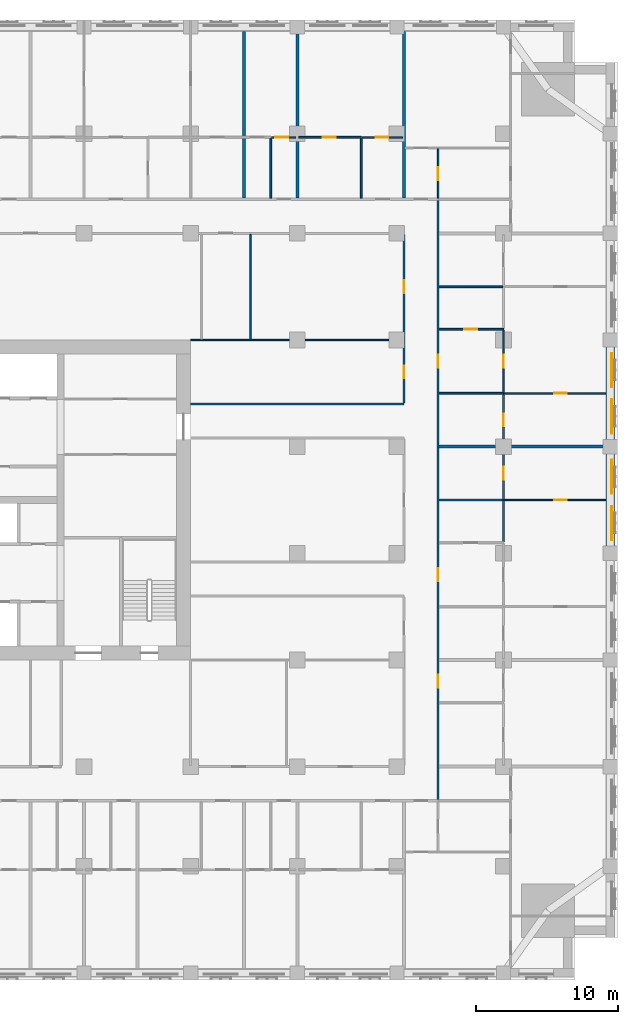
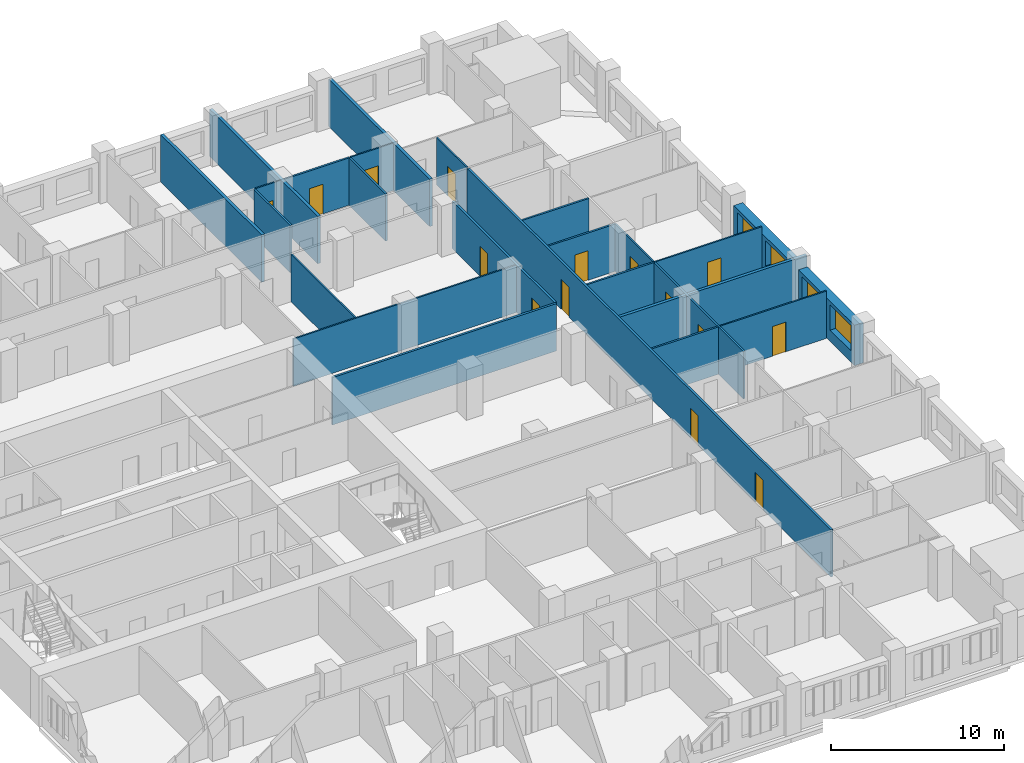
# One storey, part 10 of 14: 25 walls, 15 doors, 4 windows, 19 openings.
"""IFC4 building model written with IfcOpenShell, lengths in metres."""

from ifc_helpers import new_model, si_unit, direction, frame, frame_2d, origin, place, context, subcontext, project, spatial, rectangle, extrude, material, layer, layer_set, type_object, element, fill, save


model = new_model("IFC4")

# Units and contexts
model_context = context("Model", 3, precision=1e-05, world=origin(), true_north=direction((0.0, 1.0)))
body_context = subcontext(model_context, "Body", "Model", "MODEL_VIEW")
ifc_project = project(units=[si_unit("LENGTHUNIT", "METRE"), si_unit("AREAUNIT", "SQUARE_METRE"), si_unit("VOLUMEUNIT", "CUBIC_METRE"), si_unit("PLANEANGLEUNIT", "RADIAN"), si_unit("MASSUNIT", "GRAM", prefix="KILO")], contexts=[model_context])

# Site, building, storey
site_placement = place(None, origin())
site = spatial("IfcSite", under=ifc_project, at=site_placement, CompositionType="ELEMENT")
building_placement = place(site_placement, origin())
building = spatial("IfcBuilding", under=site, at=building_placement, Name="Tamorin Gate", CompositionType="ELEMENT")
storey_placement = place(building_placement, frame((0.0, 0.0, 104.300048828125)))
storey = spatial("IfcBuildingStorey", under=building, at=storey_placement, Name="L25", CompositionType="ELEMENT", Elevation=104.300048828125)

# Wall, openings, windows
ifc_material_1 = material(Name="Precast concrete C40/50", Category="concrete")
ifc_layer_1 = layer(ifc_material_1, 0.60009765625)
ifc_layer_set_1 = layer_set([ifc_layer_1], Name="Precast concrete C40/50")
wall_type_1 = type_object("IfcWallType", Name="Board-marked concrete facade panel 600", PredefinedType="SOLIDWALL", material=ifc_layer_set_1)
wall_1_placement = place(storey_placement, frame((89.5, 68.0, 0.0), z_axis=(0.0, 0.0, 1.0), x_axis=(0.0, 1.0, 0.0)))
wall_1 = element("IfcWall", 1, at=wall_1_placement, inside=storey, type_object=wall_type_1, Name="Facade panel", PredefinedType="SOLIDWALL", context=body_context, shape_type="SweptSolid", body=[
    extrude(rectangle(XDim=6.5, YDim=0.60009765625, at=frame_2d((3.25, 0.0))), origin(), (0.0, 0.0, 1.0), 2.849853515625),
])
opening_1_placement = place(wall_1_placement, frame((0.425048828125, 0.0, 0.800048828125)))
opening_1 = element("IfcOpeningElement", 2, at=opening_1_placement, cuts=wall_1, Name="Opening WN1", PredefinedType="OPENING", context=body_context, shape_type="SweptSolid", body=[
    extrude(rectangle(XDim=2.39990234375, YDim=1.800048828125, at=frame_2d((1.199951171875, 0.89990234375))), frame((0.0, 0.31005859375, 0.0), z_axis=(0.0, -1.0, 0.0), x_axis=(1.0, 0.0, 0.0)), (0.0, 0.0, 1.0), 0.6201171875),
])
opening_2_placement = place(wall_1_placement, frame((3.675048828125, 0.0, 0.800048828125)))
opening_2 = element("IfcOpeningElement", 3, at=opening_2_placement, cuts=wall_1, Name="Opening WN1", PredefinedType="OPENING", context=body_context, shape_type="SweptSolid", body=[
    extrude(rectangle(XDim=2.39990234375, YDim=1.800048828125, at=frame_2d((1.199951171875, 0.89990234375))), frame((0.0, 0.31005859375, 0.0), z_axis=(0.0, -1.0, 0.0), x_axis=(1.0, 0.0, 0.0)), (0.0, 0.0, 1.0), 0.6201171875),
])
ifc_material_2 = material(Name="Clear glass in aluminium frame", Category="aluminium")
window_type = type_object("IfcWindowType", Name="Deep-set window 2400x1800", PartitioningType="SINGLE_PANEL", PredefinedType="WINDOW", material=ifc_material_2)
window_1_placement = place(opening_1_placement, origin())
window_1 = element("IfcWindow", 4, at=window_1_placement, inside=storey, type_object=window_type, Name="Deep-set window", OverallHeight=1.800048828125, OverallWidth=2.39990234375, PartitioningType="SINGLE_PANEL", PredefinedType="WINDOW", context=body_context, shape_type="SweptSolid", body=[
    extrude(rectangle(XDim=2.39990234375, YDim=1.800048828125, at=frame_2d((1.199951171875, 0.89990234375))), frame((0.0, -0.070068359375, 0.0), z_axis=(0.0, -1.0, 0.0), x_axis=(1.0, 0.0, 0.0)), (0.0, 0.0, 1.0), 0.06005859375),
])
fill(opening_1, window_1)
window_2_placement = place(opening_2_placement, origin())
window_2 = element("IfcWindow", 5, at=window_2_placement, inside=storey, type_object=window_type, Name="Deep-set window", OverallHeight=1.800048828125, OverallWidth=2.39990234375, PartitioningType="SINGLE_PANEL", PredefinedType="WINDOW", context=body_context, shape_type="SweptSolid", body=[
    extrude(rectangle(XDim=2.39990234375, YDim=1.800048828125, at=frame_2d((1.199951171875, 0.89990234375))), frame((0.0, -0.070068359375, 0.0), z_axis=(0.0, -1.0, 0.0), x_axis=(1.0, 0.0, 0.0)), (0.0, 0.0, 1.0), 0.06005859375),
])
fill(opening_2, window_2)

wall_2_placement = place(storey_placement, frame((89.5, 75.5, 0.0), z_axis=(0.0, 0.0, 1.0), x_axis=(0.0, 1.0, 0.0)))
wall_2 = element("IfcWall", 6, at=wall_2_placement, inside=storey, type_object=wall_type_1, Name="Facade panel", PredefinedType="SOLIDWALL", context=body_context, shape_type="SweptSolid", body=[
    extrude(rectangle(XDim=6.5, YDim=0.60009765625, at=frame_2d((3.25, 0.0))), origin(), (0.0, 0.0, 1.0), 2.849853515625),
])
opening_3_placement = place(wall_2_placement, frame((0.425048828125, 0.0, 0.800048828125)))
opening_3 = element("IfcOpeningElement", 7, at=opening_3_placement, cuts=wall_2, Name="Opening WN1", PredefinedType="OPENING", context=body_context, shape_type="SweptSolid", body=[
    extrude(rectangle(XDim=2.39990234375, YDim=1.800048828125, at=frame_2d((1.199951171875, 0.89990234375))), frame((0.0, 0.31005859375, 0.0), z_axis=(0.0, -1.0, 0.0), x_axis=(1.0, 0.0, 0.0)), (0.0, 0.0, 1.0), 0.6201171875),
])
opening_4_placement = place(wall_2_placement, frame((3.675048828125, 0.0, 0.800048828125)))
opening_4 = element("IfcOpeningElement", 8, at=opening_4_placement, cuts=wall_2, Name="Opening WN1", PredefinedType="OPENING", context=body_context, shape_type="SweptSolid", body=[
    extrude(rectangle(XDim=2.39990234375, YDim=1.800048828125, at=frame_2d((1.199951171875, 0.89990234375))), frame((0.0, 0.31005859375, 0.0), z_axis=(0.0, -1.0, 0.0), x_axis=(1.0, 0.0, 0.0)), (0.0, 0.0, 1.0), 0.6201171875),
])
window_3_placement = place(opening_3_placement, origin())
window_3 = element("IfcWindow", 9, at=window_3_placement, inside=storey, type_object=window_type, Name="Deep-set window", OverallHeight=1.800048828125, OverallWidth=2.39990234375, PartitioningType="SINGLE_PANEL", PredefinedType="WINDOW", context=body_context, shape_type="SweptSolid", body=[
    extrude(rectangle(XDim=2.39990234375, YDim=1.800048828125, at=frame_2d((1.199951171875, 0.89990234375))), frame((0.0, -0.070068359375, 0.0), z_axis=(0.0, -1.0, 0.0), x_axis=(1.0, 0.0, 0.0)), (0.0, 0.0, 1.0), 0.06005859375),
])
fill(opening_3, window_3)
window_4_placement = place(opening_4_placement, origin())
window_4 = element("IfcWindow", 10, at=window_4_placement, inside=storey, type_object=window_type, Name="Deep-set window", OverallHeight=1.800048828125, OverallWidth=2.39990234375, PartitioningType="SINGLE_PANEL", PredefinedType="WINDOW", context=body_context, shape_type="SweptSolid", body=[
    extrude(rectangle(XDim=2.39990234375, YDim=1.800048828125, at=frame_2d((1.199951171875, 0.89990234375))), frame((0.0, -0.070068359375, 0.0), z_axis=(0.0, -1.0, 0.0), x_axis=(1.0, 0.0, 0.0)), (0.0, 0.0, 1.0), 0.06005859375),
])
fill(opening_4, window_4)

# Wall, openings, doors
ifc_material_3 = material(Name="Gypsum board partition")
ifc_layer_2 = layer(ifc_material_3, 0.14990234375)
ifc_layer_set_2 = layer_set([ifc_layer_2], Name="Corridor wall 150")
wall_type_2 = type_object("IfcWallType", Name="Corridor wall 150", PredefinedType="PARTITIONING", material=ifc_layer_set_2)
wall_3_placement = place(storey_placement, frame((75.0, 78.074951171875, 0.0), z_axis=(0.0, 0.0, 1.0), x_axis=(0.0, 1.0, 0.0)))
wall_3 = element("IfcWall", 11, at=wall_3_placement, inside=storey, type_object=wall_type_2, Name="Corridor wall 150", PredefinedType="PARTITIONING", context=body_context, shape_type="SweptSolid", body=[
    extrude(rectangle(XDim=11.85009765625, YDim=0.14990234375, at=frame_2d((5.925048828125, 0.0))), origin(), (0.0, 0.0, 1.0), 3.349853515625),
])
opening_5_placement = place(wall_3_placement, frame((7.72509765625, 0.0, 0.0)))
opening_5 = element("IfcOpeningElement", 12, at=opening_5_placement, cuts=wall_3, Name="Opening DH8081", PredefinedType="OPENING", context=body_context, shape_type="SweptSolid", body=[
    extrude(rectangle(XDim=0.89990234375, YDim=2.10009765625, at=frame_2d((0.449951171875, 1.050048828125))), frame((0.0, 0.0849609375, 0.0), z_axis=(0.0, -1.0, 0.0), x_axis=(1.0, 0.0, 0.0)), (0.0, 0.0, 1.0), 0.169921875),
])
opening_6_placement = place(wall_3_placement, frame((1.72509765625, 0.0, 0.0)))
opening_6 = element("IfcOpeningElement", 13, at=opening_6_placement, cuts=wall_3, Name="Opening DH8084", PredefinedType="OPENING", context=body_context, shape_type="SweptSolid", body=[
    extrude(rectangle(XDim=0.89990234375, YDim=2.10009765625, at=frame_2d((0.449951171875, 1.050048828125))), frame((0.0, 0.0849609375, 0.0), z_axis=(0.0, -1.0, 0.0), x_axis=(1.0, 0.0, 0.0)), (0.0, 0.0, 1.0), 0.169921875),
])
ifc_material_4 = material(Name="Timber door leaf", Category="wood")
door_type_1 = type_object("IfcDoorType", Name="Door 900 x 2100 FD30S", OperationType="NOTDEFINED", PredefinedType="DOOR", material=ifc_material_4)
door_1_placement = place(opening_5_placement, origin())
door_1 = element("IfcDoor", 14, at=door_1_placement, inside=storey, type_object=door_type_1, Name="Door DH8081", OperationType="SINGLE_SWING_LEFT", OverallHeight=2.10009765625, OverallWidth=0.89990234375, PredefinedType="DOOR", context=body_context, shape_type="SweptSolid", body=[
    extrude(rectangle(XDim=0.89990234375, YDim=2.10009765625, at=frame_2d((0.449951171875, 1.050048828125))), frame((0.0, 0.02490234375, 0.0), z_axis=(0.0, -1.0, 0.0), x_axis=(1.0, 0.0, 0.0)), (0.0, 0.0, 1.0), 0.050048828125),
])
fill(opening_5, door_1)
door_2_placement = place(opening_6_placement, origin())
door_2 = element("IfcDoor", 15, at=door_2_placement, inside=storey, type_object=door_type_1, Name="Door DH8084", OperationType="SINGLE_SWING_LEFT", OverallHeight=2.10009765625, OverallWidth=0.89990234375, PredefinedType="DOOR", context=body_context, shape_type="SweptSolid", body=[
    extrude(rectangle(XDim=0.89990234375, YDim=2.10009765625, at=frame_2d((0.449951171875, 1.050048828125))), frame((0.0, 0.02490234375, 0.0), z_axis=(0.0, -1.0, 0.0), x_axis=(1.0, 0.0, 0.0)), (0.0, 0.0, 1.0), 0.050048828125),
])
fill(opening_6, door_2)

wall_4_placement = place(storey_placement, frame((77.39990234375, 50.175048828125, 0.0), z_axis=(0.0, 0.0, 1.0), x_axis=(0.0, 1.0, 0.0)))
wall_4 = element("IfcWall", 16, at=wall_4_placement, inside=storey, type_object=wall_type_2, Name="Corridor wall 150", PredefinedType="PARTITIONING", context=body_context, shape_type="SweptSolid", body=[
    extrude(rectangle(XDim=42.14990234375, YDim=0.14990234375, at=frame_2d((21.074951171875, 0.0))), origin(), (0.0, 0.0, 1.0), 3.349853515625),
])
opening_7_placement = place(wall_4_placement, frame((7.875, 0.0, 0.0)))
opening_7 = element("IfcOpeningElement", 17, at=opening_7_placement, cuts=wall_4, Name="Opening DH8044", PredefinedType="OPENING", context=body_context, shape_type="SweptSolid", body=[
    extrude(rectangle(XDim=0.89990234375, YDim=2.10009765625, at=frame_2d((0.449951171875, 1.050048828125))), frame((0.0, 0.0849609375, 0.0), z_axis=(0.0, -1.0, 0.0), x_axis=(1.0, 0.0, 0.0)), (0.0, 0.0, 1.0), 0.169921875),
])
opening_8_placement = place(wall_4_placement, frame((15.375, 0.0, 0.0)))
opening_8 = element("IfcOpeningElement", 18, at=opening_8_placement, cuts=wall_4, Name="Opening DH8047", PredefinedType="OPENING", context=body_context, shape_type="SweptSolid", body=[
    extrude(rectangle(XDim=0.89990234375, YDim=2.10009765625, at=frame_2d((0.449951171875, 1.050048828125))), frame((0.0, 0.0849609375, 0.0), z_axis=(0.0, -1.0, 0.0), x_axis=(1.0, 0.0, 0.0)), (0.0, 0.0, 1.0), 0.169921875),
])
opening_9_placement = place(wall_4_placement, frame((30.375, 0.0, 0.0)))
opening_9 = element("IfcOpeningElement", 19, at=opening_9_placement, cuts=wall_4, Name="Opening DH8054", PredefinedType="OPENING", context=body_context, shape_type="SweptSolid", body=[
    extrude(rectangle(XDim=0.89990234375, YDim=2.10009765625, at=frame_2d((0.449951171875, 1.050048828125))), frame((0.0, 0.0849609375, 0.0), z_axis=(0.0, -1.0, 0.0), x_axis=(1.0, 0.0, 0.0)), (0.0, 0.0, 1.0), 0.169921875),
])
door_3_placement = place(opening_7_placement, origin())
door_3 = element("IfcDoor", 20, at=door_3_placement, inside=storey, type_object=door_type_1, Name="Door DH8044", OperationType="SINGLE_SWING_RIGHT", OverallHeight=2.10009765625, OverallWidth=0.89990234375, PredefinedType="DOOR", context=body_context, shape_type="SweptSolid", body=[
    extrude(rectangle(XDim=0.89990234375, YDim=2.10009765625, at=frame_2d((0.449951171875, 1.050048828125))), frame((0.0, 0.02490234375, 0.0), z_axis=(0.0, -1.0, 0.0), x_axis=(1.0, 0.0, 0.0)), (0.0, 0.0, 1.0), 0.050048828125),
])
fill(opening_7, door_3)
door_4_placement = place(opening_8_placement, origin())
door_4 = element("IfcDoor", 21, at=door_4_placement, inside=storey, type_object=door_type_1, Name="Door DH8047", OperationType="SINGLE_SWING_RIGHT", OverallHeight=2.10009765625, OverallWidth=0.89990234375, PredefinedType="DOOR", context=body_context, shape_type="SweptSolid", body=[
    extrude(rectangle(XDim=0.89990234375, YDim=2.10009765625, at=frame_2d((0.449951171875, 1.050048828125))), frame((0.0, 0.02490234375, 0.0), z_axis=(0.0, -1.0, 0.0), x_axis=(1.0, 0.0, 0.0)), (0.0, 0.0, 1.0), 0.050048828125),
])
fill(opening_8, door_4)
door_5_placement = place(opening_9_placement, origin())
door_5 = element("IfcDoor", 22, at=door_5_placement, inside=storey, type_object=door_type_1, Name="Door DH8054", OperationType="SINGLE_SWING_RIGHT", OverallHeight=2.10009765625, OverallWidth=0.89990234375, PredefinedType="DOOR", context=body_context, shape_type="SweptSolid", body=[
    extrude(rectangle(XDim=0.89990234375, YDim=2.10009765625, at=frame_2d((0.449951171875, 1.050048828125))), frame((0.0, 0.02490234375, 0.0), z_axis=(0.0, -1.0, 0.0), x_axis=(1.0, 0.0, 0.0)), (0.0, 0.0, 1.0), 0.050048828125),
])
fill(opening_9, door_5)

# Walls
ifc_layer_3 = layer(ifc_material_3, 0.199951171875)
ifc_layer_set_3 = layer_set([ifc_layer_3], Name="Demising wall 200")
wall_type_3 = type_object("IfcWallType", Name="Demising wall 200", PredefinedType="PARTITIONING", material=ifc_layer_set_3)
wall_5_placement = place(storey_placement, frame((77.47509765625, 75.0, 0.0), z_axis=(0.0, 0.0, 1.0), x_axis=(1.0, 0.0, 0.0)))
element("IfcWall", 23, at=wall_5_placement, inside=storey, type_object=wall_type_3, Name="Demising wall 200", PredefinedType="PARTITIONING", context=body_context, shape_type="SweptSolid", body=[
    extrude(rectangle(XDim=12.52490234375, YDim=0.199951171875, at=frame_2d((6.262451171875, 0.0))), origin(), (0.0, 0.0, 1.0), 3.349853515625),
])
wall_6_placement = place(storey_placement, frame((63.75, 92.47509765625, 0.0), z_axis=(0.0, 0.0, 1.0), x_axis=(0.0, 1.0, 0.0)))
element("IfcWall", 24, at=wall_6_placement, inside=storey, type_object=wall_type_3, Name="Demising wall 200", PredefinedType="PARTITIONING", context=body_context, shape_type="SweptSolid", body=[
    extrude(rectangle(XDim=11.71484375, YDim=0.199951171875, at=frame_2d((5.857421875, 0.0))), origin(), (0.0, 0.0, 1.0), 3.349853515625),
])
wall_7_placement = place(storey_placement, frame((67.5, 92.47509765625, 0.0), z_axis=(0.0, 0.0, 1.0), x_axis=(0.0, 1.0, 0.0)))
element("IfcWall", 25, at=wall_7_placement, inside=storey, type_object=wall_type_3, Name="Demising wall 200", PredefinedType="PARTITIONING", context=body_context, shape_type="SweptSolid", body=[
    extrude(rectangle(XDim=12.52490234375, YDim=0.199951171875, at=frame_2d((6.262451171875, 0.0))), origin(), (0.0, 0.0, 1.0), 3.349853515625),
])
wall_8_placement = place(storey_placement, frame((75.0, 92.47509765625, 0.0), z_axis=(0.0, 0.0, 1.0), x_axis=(0.0, 1.0, 0.0)))
element("IfcWall", 26, at=wall_8_placement, inside=storey, type_object=wall_type_3, Name="Demising wall 200", PredefinedType="PARTITIONING", context=body_context, shape_type="SweptSolid", body=[
    extrude(rectangle(XDim=11.71484375, YDim=0.199951171875, at=frame_2d((5.857421875, 0.0))), origin(), (0.0, 0.0, 1.0), 3.349853515625),
])
ifc_layer_4 = layer(ifc_material_3, 0.14990234375)
ifc_layer_set_4 = layer_set([ifc_layer_4], Name="Lobby wall 150")
wall_type_4 = type_object("IfcWallType", Name="Lobby wall 150", PredefinedType="PARTITIONING", material=ifc_layer_set_4)
wall_9_placement = place(storey_placement, frame((60.0, 78.0, 0.0), z_axis=(0.0, 0.0, 1.0), x_axis=(1.0, 0.0, 0.0)))
element("IfcWall", 27, at=wall_9_placement, inside=storey, type_object=wall_type_4, Name="Lobby wall 150", PredefinedType="PARTITIONING", context=body_context, shape_type="SweptSolid", body=[
    extrude(rectangle(XDim=15.0, YDim=0.14990234375, at=frame_2d((7.5, 0.0))), origin(), (0.0, 0.0, 1.0), 3.349853515625),
])

# Wall, opening, door
ifc_layer_5 = layer(ifc_material_3, 0.10009765625)
ifc_layer_set_5 = layer_set([ifc_layer_5], Name="Room partition 100")
wall_type_5 = type_object("IfcWallType", Name="Room partition 100", PredefinedType="PARTITIONING", material=ifc_layer_set_5)
wall_10_placement = place(storey_placement, frame((82.0625, 71.25, 0.0), z_axis=(0.0, 0.0, 1.0), x_axis=(1.0, 0.0, 0.0)))
wall_10 = element("IfcWall", 28, at=wall_10_placement, inside=storey, type_object=wall_type_5, Name="Room partition 100", PredefinedType="PARTITIONING", context=body_context, shape_type="SweptSolid", body=[
    extrude(rectangle(XDim=7.12744140625, YDim=0.10009765625, at=frame_2d((3.563720703125, 0.0))), origin(), (0.0, 0.0, 1.0), 3.349853515625),
])
opening_10_placement = place(wall_10_placement, frame((3.487548828125, 0.0, 0.0)))
opening_10 = element("IfcOpeningElement", 29, at=opening_10_placement, cuts=wall_10, Name="Opening DH8052", PredefinedType="OPENING", context=body_context, shape_type="SweptSolid", body=[
    extrude(rectangle(XDim=0.89990234375, YDim=2.10009765625, at=frame_2d((0.449951171875, 1.050048828125))), frame((0.0, 0.06005859375, 0.0), z_axis=(0.0, -1.0, 0.0), x_axis=(1.0, 0.0, 0.0)), (0.0, 0.0, 1.0), 0.1201171875),
])
door_type_2 = type_object("IfcDoorType", Name="Door 900 x 2100", OperationType="NOTDEFINED", PredefinedType="DOOR", material=ifc_material_4)
door_6_placement = place(opening_10_placement, origin())
door_6 = element("IfcDoor", 30, at=door_6_placement, inside=storey, type_object=door_type_2, Name="Door DH8052", OperationType="SINGLE_SWING_RIGHT", OverallHeight=2.10009765625, OverallWidth=0.89990234375, PredefinedType="DOOR", context=body_context, shape_type="SweptSolid", body=[
    extrude(rectangle(XDim=0.89990234375, YDim=2.10009765625, at=frame_2d((0.449951171875, 1.050048828125))), frame((0.0, 0.02490234375, 0.0), z_axis=(0.0, -1.0, 0.0), x_axis=(1.0, 0.0, 0.0)), (0.0, 0.0, 1.0), 0.050048828125),
])
fill(opening_10, door_6)

wall_11_placement = place(storey_placement, frame((82.0625, 78.75, 0.0), z_axis=(0.0, 0.0, 1.0), x_axis=(1.0, 0.0, 0.0)))
wall_11 = element("IfcWall", 31, at=wall_11_placement, inside=storey, type_object=wall_type_5, Name="Room partition 100", PredefinedType="PARTITIONING", context=body_context, shape_type="SweptSolid", body=[
    extrude(rectangle(XDim=7.12744140625, YDim=0.10009765625, at=frame_2d((3.563720703125, 0.0))), origin(), (0.0, 0.0, 1.0), 3.349853515625),
])
opening_11_placement = place(wall_11_placement, frame((3.487548828125, 0.0, 0.0)))
opening_11 = element("IfcOpeningElement", 32, at=opening_11_placement, cuts=wall_11, Name="Opening DH8058", PredefinedType="OPENING", context=body_context, shape_type="SweptSolid", body=[
    extrude(rectangle(XDim=0.89990234375, YDim=2.10009765625, at=frame_2d((0.449951171875, 1.050048828125))), frame((0.0, 0.06005859375, 0.0), z_axis=(0.0, -1.0, 0.0), x_axis=(1.0, 0.0, 0.0)), (0.0, 0.0, 1.0), 0.1201171875),
])
door_7_placement = place(opening_11_placement, origin())
door_7 = element("IfcDoor", 33, at=door_7_placement, inside=storey, type_object=door_type_2, Name="Door DH8058", OperationType="SINGLE_SWING_RIGHT", OverallHeight=2.10009765625, OverallWidth=0.89990234375, PredefinedType="DOOR", context=body_context, shape_type="SweptSolid", body=[
    extrude(rectangle(XDim=0.89990234375, YDim=2.10009765625, at=frame_2d((0.449951171875, 1.050048828125))), frame((0.0, 0.02490234375, 0.0), z_axis=(0.0, -1.0, 0.0), x_axis=(1.0, 0.0, 0.0)), (0.0, 0.0, 1.0), 0.050048828125),
])
fill(opening_11, door_7)

# Wall
wall_12_placement = place(storey_placement, frame((60.0, 82.5, 0.0), z_axis=(0.0, 0.0, 1.0), x_axis=(1.0, 0.0, 0.0)))
element("IfcWall", 34, at=wall_12_placement, inside=storey, type_object=wall_type_5, Name="Room partition 100", PredefinedType="PARTITIONING", context=body_context, shape_type="SweptSolid", body=[
    extrude(rectangle(XDim=14.925048828125, YDim=0.10009765625, at=frame_2d((7.46240234375, 0.0))), origin(), (0.0, 0.0, 1.0), 3.349853515625),
])

# Wall, opening, door
wall_13_placement = place(storey_placement, frame((65.6875, 96.75, 0.0), z_axis=(0.0, 0.0, 1.0), x_axis=(1.0, 0.0, 0.0)))
wall_13 = element("IfcWall", 35, at=wall_13_placement, inside=storey, type_object=wall_type_5, Name="Room partition 100", PredefinedType="PARTITIONING", context=body_context, shape_type="SweptSolid", body=[
    extrude(rectangle(XDim=1.71240234375, YDim=0.10009765625, at=frame_2d((0.856201171875, 0.0))), origin(), (0.0, 0.0, 1.0), 3.349853515625),
])
opening_12_placement = place(wall_13_placement, frame((0.27490234375, 0.0, 0.0)))
opening_12 = element("IfcOpeningElement", 36, at=opening_12_placement, cuts=wall_13, Name="Opening DH8039", PredefinedType="OPENING", context=body_context, shape_type="SweptSolid", body=[
    extrude(rectangle(XDim=0.89990234375, YDim=2.10009765625, at=frame_2d((0.449951171875, 1.050048828125))), frame((0.0, 0.06005859375, 0.0), z_axis=(0.0, -1.0, 0.0), x_axis=(1.0, 0.0, 0.0)), (0.0, 0.0, 1.0), 0.1201171875),
])
door_8_placement = place(opening_12_placement, origin())
door_8 = element("IfcDoor", 37, at=door_8_placement, inside=storey, type_object=door_type_2, Name="Door DH8039", OperationType="SINGLE_SWING_RIGHT", OverallHeight=2.10009765625, OverallWidth=0.89990234375, PredefinedType="DOOR", context=body_context, shape_type="SweptSolid", body=[
    extrude(rectangle(XDim=0.89990234375, YDim=2.10009765625, at=frame_2d((0.449951171875, 1.050048828125))), frame((0.0, 0.02490234375, 0.0), z_axis=(0.0, -1.0, 0.0), x_axis=(1.0, 0.0, 0.0)), (0.0, 0.0, 1.0), 0.050048828125),
])
fill(opening_12, door_8)

wall_14_placement = place(storey_placement, frame((72.0625, 96.75, 0.0), z_axis=(0.0, 0.0, 1.0), x_axis=(1.0, 0.0, 0.0)))
wall_14 = element("IfcWall", 38, at=wall_14_placement, inside=storey, type_object=wall_type_5, Name="Room partition 100", PredefinedType="PARTITIONING", context=body_context, shape_type="SweptSolid", body=[
    extrude(rectangle(XDim=2.83740234375, YDim=0.10009765625, at=frame_2d((1.418701171875, 0.0))), origin(), (0.0, 0.0, 1.0), 3.349853515625),
])
opening_13_placement = place(wall_14_placement, frame((0.9375, 0.0, 0.0)))
opening_13 = element("IfcOpeningElement", 39, at=opening_13_placement, cuts=wall_14, Name="Opening DH8042", PredefinedType="OPENING", context=body_context, shape_type="SweptSolid", body=[
    extrude(rectangle(XDim=0.89990234375, YDim=2.10009765625, at=frame_2d((0.449951171875, 1.050048828125))), frame((0.0, 0.06005859375, 0.0), z_axis=(0.0, -1.0, 0.0), x_axis=(1.0, 0.0, 0.0)), (0.0, 0.0, 1.0), 0.1201171875),
])
door_9_placement = place(opening_13_placement, origin())
door_9 = element("IfcDoor", 40, at=door_9_placement, inside=storey, type_object=door_type_2, Name="Door DH8042", OperationType="SINGLE_SWING_RIGHT", OverallHeight=2.10009765625, OverallWidth=0.89990234375, PredefinedType="DOOR", context=body_context, shape_type="SweptSolid", body=[
    extrude(rectangle(XDim=0.89990234375, YDim=2.10009765625, at=frame_2d((0.449951171875, 1.050048828125))), frame((0.0, 0.02490234375, 0.0), z_axis=(0.0, -1.0, 0.0), x_axis=(1.0, 0.0, 0.0)), (0.0, 0.0, 1.0), 0.050048828125),
])
fill(opening_13, door_9)

# Wall
wall_15_placement = place(storey_placement, frame((64.199951171875, 82.550048828125, 0.0), z_axis=(0.0, 0.0, 1.0), x_axis=(0.0, 1.0, 0.0)))
element("IfcWall", 41, at=wall_15_placement, inside=storey, type_object=wall_type_5, Name="Room partition 100", PredefinedType="PARTITIONING", context=body_context, shape_type="SweptSolid", body=[
    extrude(rectangle(XDim=7.375, YDim=0.10009765625, at=frame_2d((3.6875, 0.0))), origin(), (0.0, 0.0, 1.0), 3.349853515625),
])

# Wall, opening, door
wall_16_placement = place(storey_placement, frame((77.39990234375, 92.47509765625, 0.0), z_axis=(0.0, 0.0, 1.0), x_axis=(0.0, 1.0, 0.0)))
wall_16 = element("IfcWall", 42, at=wall_16_placement, inside=storey, type_object=wall_type_5, Name="Room partition 100", PredefinedType="PARTITIONING", context=body_context, shape_type="SweptSolid", body=[
    extrude(rectangle(XDim=3.474853515625, YDim=0.10009765625, at=frame_2d((1.7373046875, 0.0))), origin(), (0.0, 0.0, 1.0), 3.349853515625),
])
opening_14_placement = place(wall_16_placement, frame((1.27490234375, 0.0, 0.0)))
opening_14 = element("IfcOpeningElement", 43, at=opening_14_placement, cuts=wall_16, Name="Opening DH8068", PredefinedType="OPENING", context=body_context, shape_type="SweptSolid", body=[
    extrude(rectangle(XDim=0.89990234375, YDim=2.10009765625, at=frame_2d((0.449951171875, 1.050048828125))), frame((0.0, 0.06005859375, 0.0), z_axis=(0.0, -1.0, 0.0), x_axis=(1.0, 0.0, 0.0)), (0.0, 0.0, 1.0), 0.1201171875),
])
door_10_placement = place(opening_14_placement, origin())
door_10 = element("IfcDoor", 44, at=door_10_placement, inside=storey, type_object=door_type_2, Name="Door DH8068", OperationType="SINGLE_SWING_RIGHT", OverallHeight=2.10009765625, OverallWidth=0.89990234375, PredefinedType="DOOR", context=body_context, shape_type="SweptSolid", body=[
    extrude(rectangle(XDim=0.89990234375, YDim=2.10009765625, at=frame_2d((0.449951171875, 1.050048828125))), frame((0.0, 0.02490234375, 0.0), z_axis=(0.0, -1.0, 0.0), x_axis=(1.0, 0.0, 0.0)), (0.0, 0.0, 1.0), 0.050048828125),
])
fill(opening_14, door_10)

wall_17_placement = place(storey_placement, frame((82.0, 78.8125, 0.0), z_axis=(0.0, 0.0, 1.0), x_axis=(0.0, 1.0, 0.0)))
wall_17 = element("IfcWall", 45, at=wall_17_placement, inside=storey, type_object=wall_type_5, Name="Room partition 100", PredefinedType="PARTITIONING", context=body_context, shape_type="SweptSolid", body=[
    extrude(rectangle(XDim=4.375, YDim=0.10009765625, at=frame_2d((2.1875, 0.0))), origin(), (0.0, 0.0, 1.0), 3.349853515625),
])
opening_15_placement = place(wall_17_placement, frame((1.737548828125, 0.0, 0.0)))
opening_15 = element("IfcOpeningElement", 46, at=opening_15_placement, cuts=wall_17, Name="Opening DH8055", PredefinedType="OPENING", context=body_context, shape_type="SweptSolid", body=[
    extrude(rectangle(XDim=0.89990234375, YDim=2.10009765625, at=frame_2d((0.449951171875, 1.050048828125))), frame((0.0, 0.06005859375, 0.0), z_axis=(0.0, -1.0, 0.0), x_axis=(1.0, 0.0, 0.0)), (0.0, 0.0, 1.0), 0.1201171875),
])
door_11_placement = place(opening_15_placement, origin())
door_11 = element("IfcDoor", 47, at=door_11_placement, inside=storey, type_object=door_type_2, Name="Door DH8055", OperationType="SINGLE_SWING_LEFT", OverallHeight=2.10009765625, OverallWidth=0.89990234375, PredefinedType="DOOR", context=body_context, shape_type="SweptSolid", body=[
    extrude(rectangle(XDim=0.89990234375, YDim=2.10009765625, at=frame_2d((0.449951171875, 1.050048828125))), frame((0.0, 0.02490234375, 0.0), z_axis=(0.0, -1.0, 0.0), x_axis=(1.0, 0.0, 0.0)), (0.0, 0.0, 1.0), 0.050048828125),
])
fill(opening_15, door_11)

# Walls
ifc_layer_6 = layer(ifc_material_3, 0.125)
ifc_layer_set_6 = layer_set([ifc_layer_6], Name="Wet wall 125")
wall_type_6 = type_object("IfcWallType", Name="Wet wall 125", PredefinedType="PARTITIONING", material=ifc_layer_set_6)
wall_18_placement = place(storey_placement, frame((77.47509765625, 71.25, 0.0), z_axis=(0.0, 0.0, 1.0), x_axis=(1.0, 0.0, 0.0)))
element("IfcWall", 48, at=wall_18_placement, inside=storey, type_object=wall_type_6, Name="Wet wall 125", PredefinedType="PARTITIONING", context=body_context, shape_type="SweptSolid", body=[
    extrude(rectangle(XDim=4.46240234375, YDim=0.125, at=frame_2d((2.231201171875, 0.0))), origin(), (0.0, 0.0, 1.0), 3.349853515625),
])
wall_19_placement = place(storey_placement, frame((77.47509765625, 78.75, 0.0), z_axis=(0.0, 0.0, 1.0), x_axis=(1.0, 0.0, 0.0)))
element("IfcWall", 49, at=wall_19_placement, inside=storey, type_object=wall_type_6, Name="Wet wall 125", PredefinedType="PARTITIONING", context=body_context, shape_type="SweptSolid", body=[
    extrude(rectangle(XDim=4.52490234375, YDim=0.125, at=frame_2d((2.262451171875, 0.0))), origin(), (0.0, 0.0, 1.0), 3.349853515625),
])

# Wall, opening, door
wall_20_placement = place(storey_placement, frame((77.47509765625, 83.25, 0.0), z_axis=(0.0, 0.0, 1.0), x_axis=(1.0, 0.0, 0.0)))
wall_20 = element("IfcWall", 50, at=wall_20_placement, inside=storey, type_object=wall_type_6, Name="Wet wall 125", PredefinedType="PARTITIONING", context=body_context, shape_type="SweptSolid", body=[
    extrude(rectangle(XDim=4.52490234375, YDim=0.125, at=frame_2d((2.262451171875, 0.0))), origin(), (0.0, 0.0, 1.0), 3.349853515625),
])
opening_16_placement = place(wall_20_placement, frame((1.77490234375, 0.0, 0.0)))
opening_16 = element("IfcOpeningElement", 51, at=opening_16_placement, cuts=wall_20, Name="Opening DH8056", PredefinedType="OPENING", context=body_context, shape_type="SweptSolid", body=[
    extrude(rectangle(XDim=0.89990234375, YDim=2.10009765625, at=frame_2d((0.449951171875, 1.050048828125))), frame((0.0, 0.072509765625, 0.0), z_axis=(0.0, -1.0, 0.0), x_axis=(1.0, 0.0, 0.0)), (0.0, 0.0, 1.0), 0.14501953125),
])
door_12_placement = place(opening_16_placement, origin())
door_12 = element("IfcDoor", 52, at=door_12_placement, inside=storey, type_object=door_type_2, Name="Door DH8056", OperationType="SINGLE_SWING_RIGHT", OverallHeight=2.10009765625, OverallWidth=0.89990234375, PredefinedType="DOOR", context=body_context, shape_type="SweptSolid", body=[
    extrude(rectangle(XDim=0.89990234375, YDim=2.10009765625, at=frame_2d((0.449951171875, 1.050048828125))), frame((0.0, 0.02490234375, 0.0), z_axis=(0.0, -1.0, 0.0), x_axis=(1.0, 0.0, 0.0)), (0.0, 0.0, 1.0), 0.050048828125),
])
fill(opening_16, door_12)

# Wall
wall_21_placement = place(storey_placement, frame((77.47509765625, 86.25, 0.0), z_axis=(0.0, 0.0, 1.0), x_axis=(1.0, 0.0, 0.0)))
element("IfcWall", 53, at=wall_21_placement, inside=storey, type_object=wall_type_6, Name="Wet wall 125", PredefinedType="PARTITIONING", context=body_context, shape_type="SweptSolid", body=[
    extrude(rectangle(XDim=4.46240234375, YDim=0.125, at=frame_2d((2.231201171875, 0.0))), origin(), (0.0, 0.0, 1.0), 3.349853515625),
])

# Wall, opening, door
wall_22_placement = place(storey_placement, frame((67.60009765625, 96.75, 0.0), z_axis=(0.0, 0.0, 1.0), x_axis=(1.0, 0.0, 0.0)))
wall_22 = element("IfcWall", 54, at=wall_22_placement, inside=storey, type_object=wall_type_6, Name="Wet wall 125", PredefinedType="PARTITIONING", context=body_context, shape_type="SweptSolid", body=[
    extrude(rectangle(XDim=4.39990234375, YDim=0.125, at=frame_2d((2.199951171875, 0.0))), origin(), (0.0, 0.0, 1.0), 3.349853515625),
])
opening_17_placement = place(wall_22_placement, frame((1.699951171875, 0.0, 0.0)))
opening_17 = element("IfcOpeningElement", 55, at=opening_17_placement, cuts=wall_22, Name="Opening DH8040", PredefinedType="OPENING", context=body_context, shape_type="SweptSolid", body=[
    extrude(rectangle(XDim=0.89990234375, YDim=2.10009765625, at=frame_2d((0.449951171875, 1.050048828125))), frame((0.0, 0.072509765625, 0.0), z_axis=(0.0, -1.0, 0.0), x_axis=(1.0, 0.0, 0.0)), (0.0, 0.0, 1.0), 0.14501953125),
])
door_13_placement = place(opening_17_placement, origin())
door_13 = element("IfcDoor", 56, at=door_13_placement, inside=storey, type_object=door_type_2, Name="Door DH8040", OperationType="SINGLE_SWING_RIGHT", OverallHeight=2.10009765625, OverallWidth=0.89990234375, PredefinedType="DOOR", context=body_context, shape_type="SweptSolid", body=[
    extrude(rectangle(XDim=0.89990234375, YDim=2.10009765625, at=frame_2d((0.449951171875, 1.050048828125))), frame((0.0, 0.02490234375, 0.0), z_axis=(0.0, -1.0, 0.0), x_axis=(1.0, 0.0, 0.0)), (0.0, 0.0, 1.0), 0.050048828125),
])
fill(opening_17, door_13)

# Walls
for number, where, z_axis, x_axis, name in (
    (57, (65.625, 92.47509765625, 0.0), (0.0, 0.0, 1.0), (0.0, 1.0, 0.0), "Wet wall 125"),
    (58, (72.0, 92.47509765625, 0.0), (0.0, 0.0, 1.0), (0.0, 1.0, 0.0), "Wet wall 125"),
):
    element("IfcWall", number, at=place(storey_placement, frame(where, z_axis=z_axis, x_axis=x_axis)), inside=storey, type_object=wall_type_6, Name=name, PredefinedType="PARTITIONING", context=body_context, shape_type="SweptSolid", body=[
        extrude(rectangle(XDim=4.21240234375, YDim=0.125, at=frame_2d((2.106201171875, 0.0))), origin(), (0.0, 0.0, 1.0), 3.349853515625),
    ])

# Wall, openings, doors
wall_23_placement = place(storey_placement, frame((82.0, 68.3125, 0.0), z_axis=(0.0, 0.0, 1.0), x_axis=(0.0, 1.0, 0.0)))
wall_23 = element("IfcWall", 59, at=wall_23_placement, inside=storey, type_object=wall_type_6, Name="Wet wall 125", PredefinedType="PARTITIONING", context=body_context, shape_type="SweptSolid", body=[
    extrude(rectangle(XDim=10.375, YDim=0.125, at=frame_2d((5.1875, 0.0))), origin(), (0.0, 0.0, 1.0), 3.349853515625),
])
opening_18_placement = place(wall_23_placement, frame((4.362548828125, 0.0, 0.0)))
opening_18 = element("IfcOpeningElement", 60, at=opening_18_placement, cuts=wall_23, Name="Opening DH8050", PredefinedType="OPENING", context=body_context, shape_type="SweptSolid", body=[
    extrude(rectangle(XDim=0.89990234375, YDim=2.10009765625, at=frame_2d((0.449951171875, 1.050048828125))), frame((0.0, 0.072509765625, 0.0), z_axis=(0.0, -1.0, 0.0), x_axis=(1.0, 0.0, 0.0)), (0.0, 0.0, 1.0), 0.14501953125),
])
opening_19_placement = place(wall_23_placement, frame((8.112548828125, 0.0, 0.0)))
opening_19 = element("IfcOpeningElement", 61, at=opening_19_placement, cuts=wall_23, Name="Opening DH8053", PredefinedType="OPENING", context=body_context, shape_type="SweptSolid", body=[
    extrude(rectangle(XDim=0.89990234375, YDim=2.10009765625, at=frame_2d((0.449951171875, 1.050048828125))), frame((0.0, 0.072509765625, 0.0), z_axis=(0.0, -1.0, 0.0), x_axis=(1.0, 0.0, 0.0)), (0.0, 0.0, 1.0), 0.14501953125),
])
door_14_placement = place(opening_18_placement, origin())
door_14 = element("IfcDoor", 62, at=door_14_placement, inside=storey, type_object=door_type_2, Name="Door DH8050", OperationType="SINGLE_SWING_LEFT", OverallHeight=2.10009765625, OverallWidth=0.89990234375, PredefinedType="DOOR", context=body_context, shape_type="SweptSolid", body=[
    extrude(rectangle(XDim=0.89990234375, YDim=2.10009765625, at=frame_2d((0.449951171875, 1.050048828125))), frame((0.0, 0.02490234375, 0.0), z_axis=(0.0, -1.0, 0.0), x_axis=(1.0, 0.0, 0.0)), (0.0, 0.0, 1.0), 0.050048828125),
])
fill(opening_18, door_14)
door_15_placement = place(opening_19_placement, origin())
door_15 = element("IfcDoor", 63, at=door_15_placement, inside=storey, type_object=door_type_2, Name="Door DH8053", OperationType="SINGLE_SWING_LEFT", OverallHeight=2.10009765625, OverallWidth=0.89990234375, PredefinedType="DOOR", context=body_context, shape_type="SweptSolid", body=[
    extrude(rectangle(XDim=0.89990234375, YDim=2.10009765625, at=frame_2d((0.449951171875, 1.050048828125))), frame((0.0, 0.02490234375, 0.0), z_axis=(0.0, -1.0, 0.0), x_axis=(1.0, 0.0, 0.0)), (0.0, 0.0, 1.0), 0.050048828125),
])
fill(opening_19, door_15)

save(model, "model.ifc")
